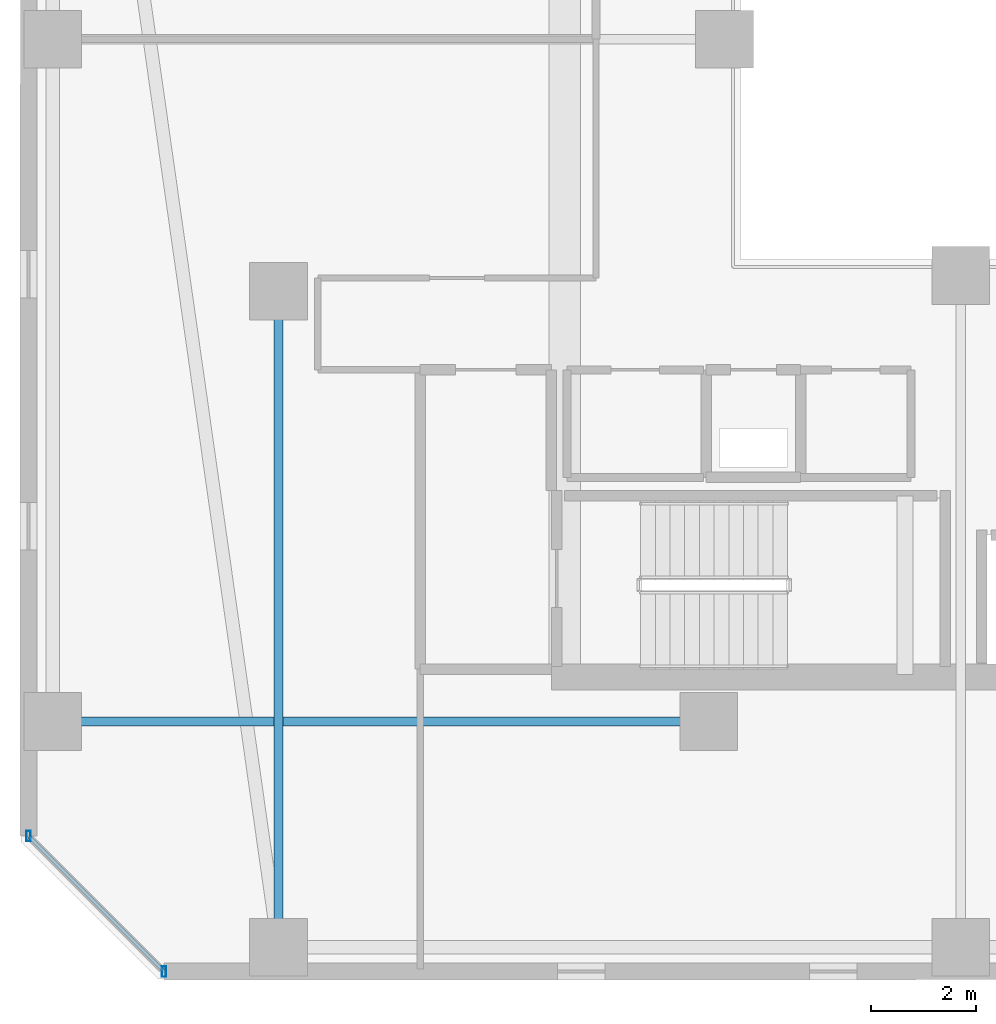
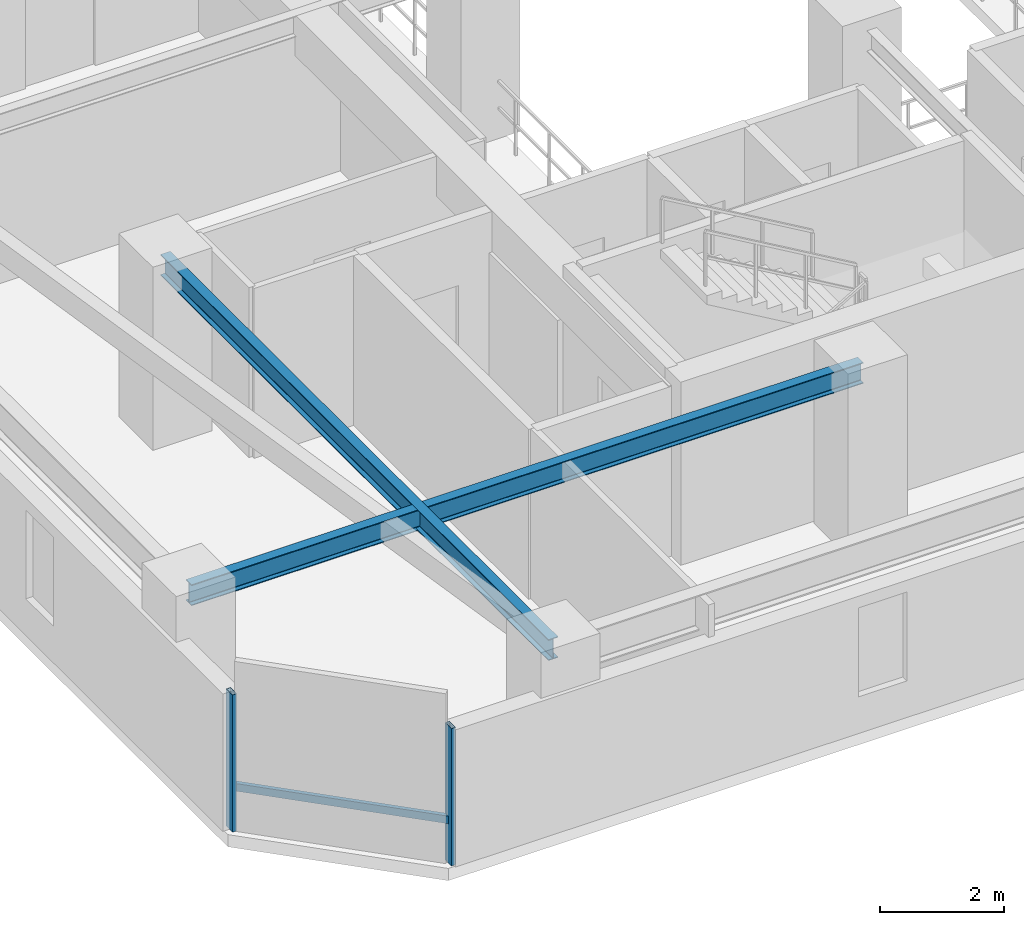
# One storey, part 3 of 32: 3 members, 2 beams, 1 element without a shape of its own.
"""IFC4 building model written with IfcOpenShell, lengths in metres."""

from ifc_helpers import new_model, si_unit, direction, frame, origin, origin_2d, place, context, subcontext, project, spatial, hollow_rectangle, i_section, extrude, material, material_profile, profile_set, type_object, element, aggregate, save


model = new_model("IFC4")

# Units and contexts
model_context = context("Model", 3, precision=1e-05, world=origin(), true_north=direction((0.0, 1.0)))
body_context = subcontext(model_context, "Body", "Model", "MODEL_VIEW")
ifc_project = project(units=[si_unit("LENGTHUNIT", "METRE"), si_unit("AREAUNIT", "SQUARE_METRE"), si_unit("VOLUMEUNIT", "CUBIC_METRE"), si_unit("PLANEANGLEUNIT", "RADIAN"), si_unit("MASSUNIT", "GRAM", prefix="KILO")], contexts=[model_context])

# Site, building, storey
site_placement = place(None, origin())
site = spatial("IfcSite", under=ifc_project, at=site_placement, CompositionType="ELEMENT")
building_placement = place(site_placement, origin())
building = spatial("IfcBuilding", under=site, at=building_placement, Name="Thornwick Lancets Civic Towers", CompositionType="ELEMENT")
storey_placement = place(building_placement, frame((0.0, 0.0, 178.5)))
storey = spatial("IfcBuildingStorey", under=building, at=storey_placement, Name="L47", CompositionType="ELEMENT", Elevation=178.5)

# Beams
ifc_material_1 = material(Name="Steel S355JR", Category="steel")
ifc_material_profile_1 = material_profile(ifc_material_1, i_section(OverallWidth=0.179443359375, OverallDepth=0.412841796875, WebThickness=0.009521484375, FlangeThickness=0.01611328125, FilletRadius=0.01025390625, at=origin_2d()), Name="UKB 406x178x74")
ifc_profile_set_1 = profile_set([ifc_material_profile_1], Name="Steel S355JR")
beam_type = type_object("IfcBeamType", Name="BM_JOIST_406_74", PredefinedType="JOIST", material=ifc_profile_set_1)
for number, where, z_axis, x_axis, name in (
    (1, (12.5, 22.199951171875, 3.153564453125), (0.0, -1.0, 0.0), (1.0, 0.0, 0.0), "BM-RADIN-L47-A01"),
    (2, (20.699951171875, 14.0, 3.153564453125), (-1.0, 0.0, 0.0), (0.0, -1.0, 0.0), "BM-RADIN-L47-A10"),
):
    element("IfcBeam", number, at=place(storey_placement, frame(where, z_axis=z_axis, x_axis=x_axis)), inside=storey, type_object=beam_type, Name=name, PredefinedType="JOIST", context=body_context, shape_type="SweptSolid", body=[
        extrude(i_section(OverallWidth=0.179443359375, OverallDepth=0.412841796875, WebThickness=0.009521484375, FlangeThickness=0.01611328125, FilletRadius=0.01025390625, at=origin_2d()), origin(), (0.0, 0.0, 1.0), 12.5),
    ])

# Curtain wall, members
ifc_material_2 = material(Name="Mid-zone chamfered-corner unitised glass curtain wall", Category="glass")
curtain_wall_type = type_object("IfcCurtainWallType", Name="CW_SYS_04", PredefinedType="NOTDEFINED", material=ifc_material_2)
curtain_wall_placement = place(storey_placement, origin())
curtain_wall = element("IfcCurtainWall", 3, at=curtain_wall_placement, inside=storey, type_object=curtain_wall_type, Name="L47 Curtain Wall CW-L47-A-E7", PredefinedType="NOTDEFINED")
ifc_material_3 = material(Name="Thermally broken bronze aluminium S355", Category="steel")
ifc_material_profile_2 = material_profile(ifc_material_3, hollow_rectangle(XDim=0.080078125, YDim=0.199951171875, WallThickness=0.006103515625, at=origin_2d()), Name="RHS 200x80x6")
ifc_profile_set_2 = profile_set([ifc_material_profile_2], Name="Thermally broken bronze aluminium S355")
member_type_1 = type_object("IfcMemberType", Name="CW_MUL_200", PredefinedType="MULLION", material=ifc_profile_set_2)
member_1_placement = place(storey_placement, frame((7.7353515625, 11.818603515625, 0.0), z_axis=(0.0, 0.0, 1.0), x_axis=(1.0, 0.0, 0.0)))
member_1 = element("IfcMember", 4, at=member_1_placement, type_object=member_type_1, Name="CW-L47-A-E7 Mullion 0", PredefinedType="MULLION", context=body_context, shape_type="SweptSolid", body=[
    extrude(hollow_rectangle(XDim=0.080078125, YDim=0.199951171875, WallThickness=0.006103515625, at=origin_2d()), origin(), (0.0, 0.0, 1.0), 2.699951171875),
])
member_2_placement = place(storey_placement, frame((10.318603515625, 9.2353515625, 0.0), z_axis=(0.0, 0.0, 1.0), x_axis=(1.0, 0.0, 0.0)))
member_2 = element("IfcMember", 5, at=member_2_placement, type_object=member_type_1, Name="CW-L47-A-E7 Mullion 1", PredefinedType="MULLION", context=body_context, shape_type="SweptSolid", body=[
    extrude(hollow_rectangle(XDim=0.080078125, YDim=0.199951171875, WallThickness=0.006103515625, at=origin_2d()), origin(), (0.0, 0.0, 1.0), 2.699951171875),
])
ifc_material_profile_3 = material_profile(ifc_material_3, hollow_rectangle(XDim=0.074951171875, YDim=0.14990234375, WallThickness=0.0048828125, at=origin_2d()), Name="RHS 150x75x5")
ifc_profile_set_3 = profile_set([ifc_material_profile_3], Name="Thermally broken bronze aluminium S355")
member_type_2 = type_object("IfcMemberType", Name="CW_TRN_150", PredefinedType="USERDEFINED", material=ifc_profile_set_3)
member_3_placement = place(storey_placement, frame((7.74951171875, 11.804443359375, 0.85009765625), z_axis=(0.707106781187, -0.707106781187, 0.0), x_axis=(0.707106781187, 0.707106781187, 0.0)))
member_3 = element("IfcMember", 6, at=member_3_placement, type_object=member_type_2, Name="CW-L47-A-E7 Transom 0", ObjectType="TRANSOM", PredefinedType="USERDEFINED", context=body_context, shape_type="SweptSolid", body=[
    extrude(hollow_rectangle(XDim=0.074951171875, YDim=0.14990234375, WallThickness=0.0048828125, at=origin_2d()), origin(), (0.0, 0.0, 1.0), 3.61328125),
])
aggregate(curtain_wall, [member_1, member_2, member_3])

save(model, "model.ifc")
